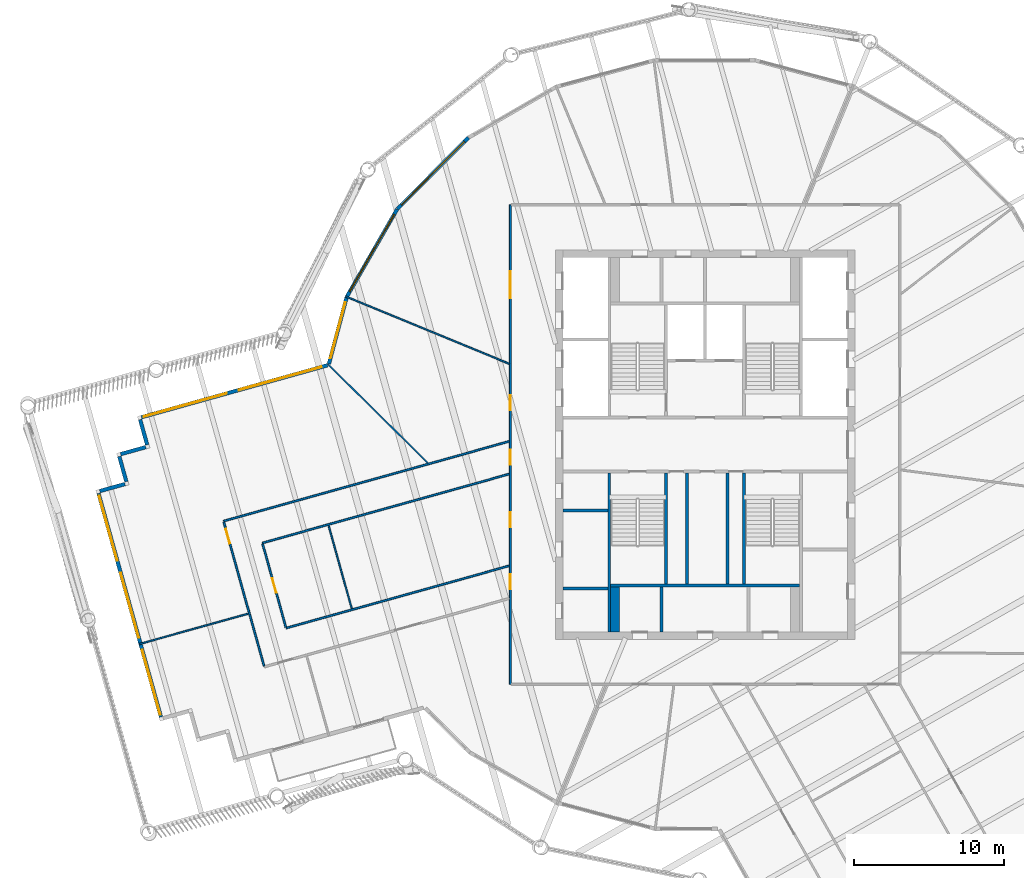
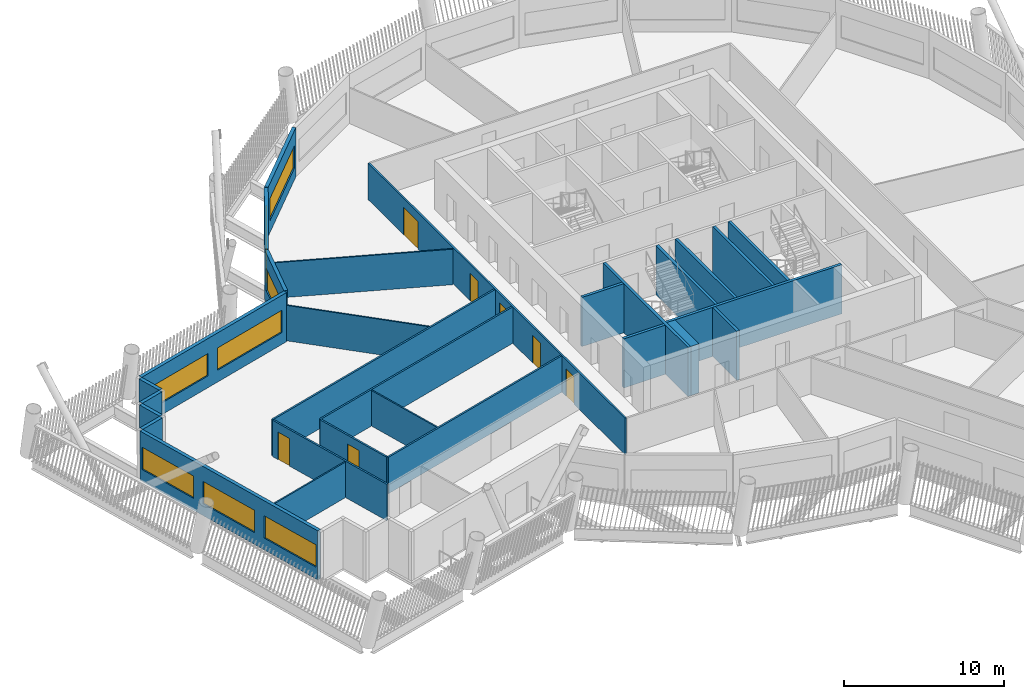
# One storey, part 4 of 21: 29 walls, 8 windows, 7 doors, 15 openings.
"""IFC4 building model written with IfcOpenShell, lengths in metres."""

from ifc_helpers import new_model, si_unit, direction, frame, frame_2d, origin, place, context, subcontext, project, spatial, rectangle, extrude, material, layer, layer_set, type_object, element, fill, save


model = new_model("IFC4")

# Units and contexts
model_context = context("Model", 3, precision=1e-05, world=origin(), true_north=direction((0.0, 1.0)))
body_context = subcontext(model_context, "Body", "Model", "MODEL_VIEW")
ifc_project = project(units=[si_unit("LENGTHUNIT", "METRE"), si_unit("AREAUNIT", "SQUARE_METRE"), si_unit("VOLUMEUNIT", "CUBIC_METRE"), si_unit("PLANEANGLEUNIT", "RADIAN"), si_unit("MASSUNIT", "GRAM", prefix="KILO")], contexts=[model_context])

# Site, building, storey
site_placement = place(None, origin())
site = spatial("IfcSite", under=ifc_project, at=site_placement, CompositionType="ELEMENT")
building_placement = place(site_placement, origin())
building = spatial("IfcBuilding", under=site, at=building_placement, Name="Tarsis Ring Headquarters", CompositionType="ELEMENT")
storey_placement = place(building_placement, frame((0.0, 0.0, 347.0)))
storey = spatial("IfcBuildingStorey", under=building, at=storey_placement, Name="L82", CompositionType="ELEMENT", Elevation=347.0)

# Walls
ifc_material_1 = material(Name="Blockwork", Category="masonry")
ifc_layer_1 = layer(ifc_material_1, 0.199951171875)
ifc_layer_set_1 = layer_set([ifc_layer_1], Name="Core blockwork wall 200")
wall_type_1 = type_object("IfcWallType", Name="Core blockwork wall 200", PredefinedType="PARTITIONING", material=ifc_layer_set_1)
for number, where, z_axis, x_axis, name in (
    (1, (-9.5, -9.60009765625, 0.0), (0.0, 0.0, 1.0), (1.0, 0.0, 0.0), "Core partition WD1"),
    (2, (-9.5, -4.39990234375, 0.0), (0.0, 0.0, 1.0), (1.0, 0.0, 0.0), "Core partition WD3"),
    (3, (-2.89990234375, -12.5, 0.0), (0.0, 0.0, 1.0), (0.0, 1.0, 0.0), "Core partition SD1"),
):
    element("IfcWall", number, at=place(storey_placement, frame(where, z_axis=z_axis, x_axis=x_axis)), inside=storey, type_object=wall_type_1, Name=name, PredefinedType="PARTITIONING", context=body_context, shape_type="SweptSolid", body=[
        extrude(rectangle(XDim=3.0, YDim=0.199951171875, at=frame_2d((1.5, 0.0))), origin(), (0.0, 0.0, 1.0), 3.739990234375),
    ])
for number, where, z_axis, x_axis, name in (
    (4, (-1.199951171875, -9.300048828125, 0.0), (0.0, 0.0, 1.0), (0.0, 1.0, 0.0), "Core partition SV1"),
    (5, (1.5, -9.300048828125, 0.0), (0.0, 0.0, 1.0), (0.0, 1.0, 0.0), "Core partition SV2"),
):
    element("IfcWall", number, at=place(storey_placement, frame(where, z_axis=z_axis, x_axis=x_axis)), inside=storey, type_object=wall_type_1, Name=name, PredefinedType="PARTITIONING", context=body_context, shape_type="SweptSolid", body=[
        extrude(rectangle(XDim=7.400146484375, YDim=0.199951171875, at=frame_2d((3.7001953125, 0.0))), origin(), (0.0, 0.0, 1.0), 3.739990234375),
    ])
ifc_material_2 = material(Name="Gypsum board on steel studs", Category="steel")
ifc_layer_2 = layer(ifc_material_2, 0.10009765625)
ifc_layer_set_2 = layer_set([ifc_layer_2], Name="FL partition 100 unrated")
wall_type_2 = type_object("IfcWallType", Name="FL partition 100 unrated", PredefinedType="PARTITIONING", material=ifc_layer_set_2)
wall_1_placement = place(storey_placement, frame((-23.989990234375, 9.887939453125, 0.0), z_axis=(0.0, 0.0, 1.0), x_axis=(0.924545716958, -0.38107114461, 0.0)))
element("IfcWall", 6, at=wall_1_placement, inside=storey, type_object=wall_type_2, Name="Partition PW3", PredefinedType="PARTITIONING", context=body_context, shape_type="SweptSolid", body=[
    extrude(rectangle(XDim=11.806884765625, YDim=0.10009765625, at=frame_2d((5.9033203125, 0.0))), origin(), (0.0, 0.0, 1.0), 2.699951171875),
])
wall_2_placement = place(storey_placement, frame((-25.169677734375, 5.353515625, 0.0), z_axis=(0.0, 0.0, 1.0), x_axis=(0.711410794863, -0.702776408933, 0.0)))
element("IfcWall", 7, at=wall_2_placement, inside=storey, type_object=wall_type_2, Name="Partition PW3", PredefinedType="PARTITIONING", context=body_context, shape_type="SweptSolid", body=[
    extrude(rectangle(XDim=9.359130859375, YDim=0.10009765625, at=frame_2d((4.6796875, 0.0))), origin(), (0.0, 0.0, 1.0), 2.699951171875),
])
wall_3_placement = place(storey_placement, frame((-37.76025390625, -13.31494140625, 0.0), z_axis=(0.0, 0.0, 1.0), x_axis=(0.963163583815, 0.268916178043, 0.0)))
element("IfcWall", 8, at=wall_3_placement, inside=storey, type_object=wall_type_2, Name="Partition PW3", PredefinedType="PARTITIONING", context=body_context, shape_type="SweptSolid", body=[
    extrude(rectangle(XDim=7.5498046875, YDim=0.10009765625, at=frame_2d((3.77490234375, 0.0))), origin(), (0.0, 0.0, 1.0), 2.699951171875),
])
wall_4_placement = place(storey_placement, frame((-25.131591796875, -5.40771484375, 0.0), z_axis=(0.0, 0.0, 1.0), x_axis=(0.268944373024, -0.963155711305, 0.0)))
element("IfcWall", 9, at=wall_4_placement, inside=storey, type_object=wall_type_2, Name="Partition PW3", PredefinedType="PARTITIONING", context=body_context, shape_type="SweptSolid", body=[
    extrude(rectangle(XDim=5.759765625, YDim=0.10009765625, at=frame_2d((2.8798828125, 0.0))), origin(), (0.0, 0.0, 1.0), 2.699951171875),
])

# Wall, openings, doors
ifc_layer_3 = layer(ifc_material_2, 0.125)
ifc_layer_set_3 = layer_set([ifc_layer_3], Name="FL partition 125 EI 60 H2770")
wall_type_3 = type_object("IfcWallType", Name="FL partition 125 EI 60 H2770", PredefinedType="PARTITIONING", material=ifc_layer_set_3)
wall_5_placement = place(storey_placement, frame((-13.0, -16.0, 0.0), z_axis=(0.0, 0.0, 1.0), x_axis=(0.0, 1.0, 0.0)))
wall_5 = element("IfcWall", 10, at=wall_5_placement, inside=storey, type_object=wall_type_3, Name="Partition PW1", PredefinedType="PARTITIONING", context=body_context, shape_type="SweptSolid", body=[
    extrude(rectangle(XDim=32.0, YDim=0.125, at=frame_2d((16.0, 0.0))), origin(), (0.0, 0.0, 1.0), 2.77001953125),
])
opening_1_placement = place(wall_5_placement, frame((18.29541015625, 0.0, 0.0)))
opening_1 = element("IfcOpeningElement", 11, at=opening_1_placement, cuts=wall_5, Name="Opening D82.03", PredefinedType="OPENING", context=body_context, shape_type="SweptSolid", body=[
    extrude(rectangle(XDim=1.0, YDim=2.10009765625, at=frame_2d((0.5, 1.050048828125))), frame((0.0, 0.072509765625, 0.0), z_axis=(0.0, -1.0, 0.0), x_axis=(1.0, 0.0, 0.0)), (0.0, 0.0, 1.0), 0.14501953125),
])
opening_2_placement = place(wall_5_placement, frame((25.779052734375, 0.0, 0.0)))
opening_2 = element("IfcOpeningElement", 12, at=opening_2_placement, cuts=wall_5, Name="Opening D82.04", PredefinedType="OPENING", context=body_context, shape_type="SweptSolid", body=[
    extrude(rectangle(XDim=1.800048828125, YDim=2.10009765625, at=frame_2d((0.89990234375, 1.050048828125))), frame((0.0, 0.072509765625, 0.0), z_axis=(0.0, -1.0, 0.0), x_axis=(1.0, 0.0, 0.0)), (0.0, 0.0, 1.0), 0.14501953125),
])
opening_3_placement = place(wall_5_placement, frame((10.489501953125, 0.0, 0.0)))
opening_3 = element("IfcOpeningElement", 13, at=opening_3_placement, cuts=wall_5, Name="Opening D82.14", PredefinedType="OPENING", context=body_context, shape_type="SweptSolid", body=[
    extrude(rectangle(XDim=1.0, YDim=2.10009765625, at=frame_2d((0.5, 1.050048828125))), frame((0.0, 0.072509765625, 0.0), z_axis=(0.0, -1.0, 0.0), x_axis=(1.0, 0.0, 0.0)), (0.0, 0.0, 1.0), 0.14501953125),
])
opening_4_placement = place(wall_5_placement, frame((6.33642578125, 0.0, 0.0)))
opening_4 = element("IfcOpeningElement", 14, at=opening_4_placement, cuts=wall_5, Name="Opening D82.19", PredefinedType="OPENING", context=body_context, shape_type="SweptSolid", body=[
    extrude(rectangle(XDim=1.0, YDim=2.10009765625, at=frame_2d((0.5, 1.050048828125))), frame((0.0, 0.072509765625, 0.0), z_axis=(0.0, -1.0, 0.0), x_axis=(1.0, 0.0, 0.0)), (0.0, 0.0, 1.0), 0.14501953125),
])
opening_5_placement = place(wall_5_placement, frame((14.642578125, 0.0, 0.0)))
opening_5 = element("IfcOpeningElement", 15, at=opening_5_placement, cuts=wall_5, Name="Opening D82.20", PredefinedType="OPENING", context=body_context, shape_type="SweptSolid", body=[
    extrude(rectangle(XDim=1.0, YDim=2.10009765625, at=frame_2d((0.5, 1.050048828125))), frame((0.0, 0.072509765625, 0.0), z_axis=(0.0, -1.0, 0.0), x_axis=(1.0, 0.0, 0.0)), (0.0, 0.0, 1.0), 0.14501953125),
])
ifc_material_3 = material(Name="Fire-rated timber door leaf in steel frame", Category="steel")
door_type_1 = type_object("IfcDoorType", Name="FL door FD60-1000", OperationType="NOTDEFINED", PredefinedType="DOOR", material=ifc_material_3)
door_1_placement = place(opening_1_placement, origin())
door_1 = element("IfcDoor", 16, at=door_1_placement, inside=storey, type_object=door_type_1, Name="Door D82.03", OperationType="SINGLE_SWING_LEFT", OverallHeight=2.10009765625, OverallWidth=1.0, PredefinedType="DOOR", context=body_context, shape_type="SweptSolid", body=[
    extrude(rectangle(XDim=1.0, YDim=2.10009765625, at=frame_2d((0.5, 1.050048828125))), frame((0.0, 0.02490234375, 0.0), z_axis=(0.0, -1.0, 0.0), x_axis=(1.0, 0.0, 0.0)), (0.0, 0.0, 1.0), 0.050048828125),
])
fill(opening_1, door_1)
door_2_placement = place(opening_3_placement, origin())
door_2 = element("IfcDoor", 17, at=door_2_placement, inside=storey, type_object=door_type_1, Name="Door D82.14", OperationType="SINGLE_SWING_RIGHT", OverallHeight=2.10009765625, OverallWidth=1.0, PredefinedType="DOOR", context=body_context, shape_type="SweptSolid", body=[
    extrude(rectangle(XDim=1.0, YDim=2.10009765625, at=frame_2d((0.5, 1.050048828125))), frame((0.0, 0.02490234375, 0.0), z_axis=(0.0, -1.0, 0.0), x_axis=(1.0, 0.0, 0.0)), (0.0, 0.0, 1.0), 0.050048828125),
])
fill(opening_3, door_2)
door_3_placement = place(opening_4_placement, origin())
door_3 = element("IfcDoor", 18, at=door_3_placement, inside=storey, type_object=door_type_1, Name="Door D82.19", OperationType="SINGLE_SWING_LEFT", OverallHeight=2.10009765625, OverallWidth=1.0, PredefinedType="DOOR", context=body_context, shape_type="SweptSolid", body=[
    extrude(rectangle(XDim=1.0, YDim=2.10009765625, at=frame_2d((0.5, 1.050048828125))), frame((0.0, 0.02490234375, 0.0), z_axis=(0.0, -1.0, 0.0), x_axis=(1.0, 0.0, 0.0)), (0.0, 0.0, 1.0), 0.050048828125),
])
fill(opening_4, door_3)
door_4_placement = place(opening_5_placement, origin())
door_4 = element("IfcDoor", 19, at=door_4_placement, inside=storey, type_object=door_type_1, Name="Door D82.20", OperationType="SINGLE_SWING_RIGHT", OverallHeight=2.10009765625, OverallWidth=1.0, PredefinedType="DOOR", context=body_context, shape_type="SweptSolid", body=[
    extrude(rectangle(XDim=1.0, YDim=2.10009765625, at=frame_2d((0.5, 1.050048828125))), frame((0.0, 0.02490234375, 0.0), z_axis=(0.0, -1.0, 0.0), x_axis=(1.0, 0.0, 0.0)), (0.0, 0.0, 1.0), 0.050048828125),
])
fill(opening_5, door_4)
door_type_2 = type_object("IfcDoorType", Name="FL door FD60-1800", OperationType="DOUBLE_DOOR_SINGLE_SWING", PredefinedType="DOOR", material=ifc_material_3)
door_5_placement = place(opening_2_placement, origin())
door_5 = element("IfcDoor", 20, at=door_5_placement, inside=storey, type_object=door_type_2, Name="Door D82.04", OperationType="DOUBLE_DOOR_SINGLE_SWING", OverallHeight=2.10009765625, OverallWidth=1.800048828125, PredefinedType="DOOR", context=body_context, shape_type="SweptSolid", body=[
    extrude(rectangle(XDim=1.800048828125, YDim=2.10009765625, at=frame_2d((0.89990234375, 1.050048828125))), frame((0.0, 0.02490234375, 0.0), z_axis=(0.0, -1.0, 0.0), x_axis=(1.0, 0.0, 0.0)), (0.0, 0.0, 1.0), 0.050048828125),
])
fill(opening_2, door_5)

# Walls
wall_6_placement = place(storey_placement, frame((-32.139404296875, -5.111083984375, 0.0), z_axis=(0.0, 0.0, 1.0), x_axis=(0.963162721775, 0.268919265548, 0.0)))
element("IfcWall", 21, at=wall_6_placement, inside=storey, type_object=wall_type_3, Name="Partition PW1", PredefinedType="PARTITIONING", context=body_context, shape_type="SweptSolid", body=[
    extrude(rectangle(XDim=19.791259765625, YDim=0.125, at=frame_2d((9.8955078125, 0.0))), origin(), (0.0, 0.0, 1.0), 2.77001953125),
])
wall_7_placement = place(storey_placement, frame((-29.552001953125, -6.569091796875, 0.0), z_axis=(0.0, 0.0, 1.0), x_axis=(0.963162691519, 0.268919373911, 0.0)))
element("IfcWall", 22, at=wall_7_placement, inside=storey, type_object=wall_type_3, Name="Partition PW1", PredefinedType="PARTITIONING", context=body_context, shape_type="SweptSolid", body=[
    extrude(rectangle(XDim=17.10498046875, YDim=0.125, at=frame_2d((8.552490234375, 0.0))), origin(), (0.0, 0.0, 1.0), 2.77001953125),
])
wall_8_placement = place(storey_placement, frame((-27.96533203125, -12.251708984375, 0.0), z_axis=(0.0, 0.0, 1.0), x_axis=(0.963164531776, 0.268912782756, 0.0)))
element("IfcWall", 23, at=wall_8_placement, inside=storey, type_object=wall_type_3, Name="Partition PW1", PredefinedType="PARTITIONING", context=body_context, shape_type="SweptSolid", body=[
    extrude(rectangle(XDim=15.45751953125, YDim=0.125, at=frame_2d((7.728759765625, 0.0))), origin(), (0.0, 0.0, 1.0), 2.77001953125),
])

# Wall, opening, door
wall_9_placement = place(storey_placement, frame((-32.123291015625, -5.1689453125, 0.0), z_axis=(0.0, 0.0, 1.0), x_axis=(0.26891666338, -0.963163448308, 0.0)))
wall_9 = element("IfcWall", 24, at=wall_9_placement, inside=storey, type_object=wall_type_3, Name="Partition PW1", PredefinedType="PARTITIONING", context=body_context, shape_type="SweptSolid", body=[
    extrude(rectangle(XDim=9.980224609375, YDim=0.125, at=frame_2d((4.990234375, 0.0))), origin(), (0.0, 0.0, 1.0), 2.77001953125),
])
opening_6_placement = place(wall_9_placement, frame((0.489990234375, 0.0, 0.0)))
opening_6 = element("IfcOpeningElement", 25, at=opening_6_placement, cuts=wall_9, Name="Opening D82.02", PredefinedType="OPENING", context=body_context, shape_type="SweptSolid", body=[
    extrude(rectangle(XDim=1.0, YDim=2.10009765625, at=frame_2d((0.5, 1.050048828125))), frame((0.0, 0.072509765625, 0.0), z_axis=(0.0, -1.0, 0.0), x_axis=(1.0, 0.0, 0.0)), (0.0, 0.0, 1.0), 0.14501953125),
])
door_6_placement = place(opening_6_placement, origin())
door_6 = element("IfcDoor", 26, at=door_6_placement, inside=storey, type_object=door_type_1, Name="Door D82.02", OperationType="SINGLE_SWING_RIGHT", OverallHeight=2.10009765625, OverallWidth=1.0, PredefinedType="DOOR", context=body_context, shape_type="SweptSolid", body=[
    extrude(rectangle(XDim=1.0, YDim=2.10009765625, at=frame_2d((0.5, 1.050048828125))), frame((0.0, 0.02490234375, 0.0), z_axis=(0.0, -1.0, 0.0), x_axis=(1.0, 0.0, 0.0)), (0.0, 0.0, 1.0), 0.050048828125),
])
fill(opening_6, door_6)

wall_10_placement = place(storey_placement, frame((-29.535888671875, -6.626953125, 0.0), z_axis=(0.0, 0.0, 1.0), x_axis=(0.268891921497, -0.963170355936, 0.0)))
wall_10 = element("IfcWall", 27, at=wall_10_placement, inside=storey, type_object=wall_type_3, Name="Partition PW1", PredefinedType="PARTITIONING", context=body_context, shape_type="SweptSolid", body=[
    extrude(rectangle(XDim=5.780029296875, YDim=0.125, at=frame_2d((2.89013671875, 0.0))), origin(), (0.0, 0.0, 1.0), 2.77001953125),
])
opening_7_placement = place(wall_10_placement, frame((2.389892578125, 0.0, 0.0)))
opening_7 = element("IfcOpeningElement", 28, at=opening_7_placement, cuts=wall_10, Name="Opening D82.15", PredefinedType="OPENING", context=body_context, shape_type="SweptSolid", body=[
    extrude(rectangle(XDim=1.0, YDim=2.10009765625, at=frame_2d((0.5, 1.050048828125))), frame((0.0, 0.072509765625, 0.0), z_axis=(0.0, -1.0, 0.0), x_axis=(1.0, 0.0, 0.0)), (0.0, 0.0, 1.0), 0.14501953125),
])
door_7_placement = place(opening_7_placement, origin())
door_7 = element("IfcDoor", 29, at=door_7_placement, inside=storey, type_object=door_type_1, Name="Door D82.15", OperationType="SINGLE_SWING_LEFT", OverallHeight=2.10009765625, OverallWidth=1.0, PredefinedType="DOOR", context=body_context, shape_type="SweptSolid", body=[
    extrude(rectangle(XDim=1.0, YDim=2.10009765625, at=frame_2d((0.5, 1.050048828125))), frame((0.0, 0.02490234375, 0.0), z_axis=(0.0, -1.0, 0.0), x_axis=(1.0, 0.0, 0.0)), (0.0, 0.0, 1.0), 0.050048828125),
])
fill(opening_7, door_7)

# Wall, opening, window
ifc_material_4 = material(Name="Terracotta clad insulated panel wall", Category="masonry")
ifc_layer_4 = layer(ifc_material_4, 0.25)
ifc_layer_set_4 = layer_set([ifc_layer_4], Name="Facade wall terracotta panel 250")
wall_type_4 = type_object("IfcWallType", Name="Facade wall terracotta panel 250", PredefinedType="STANDARD", material=ifc_layer_set_4)
wall_11_placement = place(storey_placement, frame((-15.798583984375, 20.488037109375, 0.0), z_axis=(0.0, 0.0, 1.0), x_axis=(-0.70585254916, -0.708358792452, 0.0)))
wall_11 = element("IfcWall", 30, at=wall_11_placement, inside=storey, type_object=wall_type_4, Name="External wall L82-28", PredefinedType="STANDARD", context=body_context, shape_type="SweptSolid", body=[
    extrude(rectangle(XDim=6.721435546875, YDim=0.25, at=frame_2d((3.36083984375, 0.0))), origin(), (0.0, 0.0, 1.0), 3.739990234375),
])
opening_8_placement = place(wall_11_placement, frame((0.3857421875, 0.0, 0.89990234375)))
opening_8 = element("IfcOpeningElement", 31, at=opening_8_placement, cuts=wall_11, Name="Opening WN07", PredefinedType="OPENING", context=body_context, shape_type="SweptSolid", body=[
    extrude(rectangle(XDim=5.949951171875, YDim=1.699951171875, at=frame_2d((2.97509765625, 0.85009765625))), frame((0.0, 0.135009765625, 0.0), z_axis=(0.0, -1.0, 0.0), x_axis=(1.0, 0.0, 0.0)), (0.0, 0.0, 1.0), 0.27001953125),
])
ifc_material_5 = material(Name="Aluminium framed double glazing", Category="aluminium")
window_type_1 = type_object("IfcWindowType", Name="Facade window 5950 x 1700", PartitioningType="SINGLE_PANEL", PredefinedType="WINDOW", material=ifc_material_5)
window_1_placement = place(opening_8_placement, origin())
window_1 = element("IfcWindow", 32, at=window_1_placement, inside=storey, type_object=window_type_1, Name="Window L82-28.1", OverallHeight=1.699951171875, OverallWidth=5.949951171875, PartitioningType="SINGLE_PANEL", PredefinedType="WINDOW", context=body_context, shape_type="SweptSolid", body=[
    extrude(rectangle(XDim=5.949951171875, YDim=1.699951171875, at=frame_2d((2.97509765625, 0.85009765625))), frame((0.0, 0.030029296875, 0.0), z_axis=(0.0, -1.0, 0.0), x_axis=(1.0, 0.0, 0.0)), (0.0, 0.0, 1.0), 0.06005859375),
])
fill(opening_8, window_1)

wall_12_placement = place(storey_placement, frame((-20.562744140625, 15.700927734375, 0.0), z_axis=(0.0, 0.0, 1.0), x_axis=(-0.498484090277, -0.866898847468, 0.0)))
wall_12 = element("IfcWall", 33, at=wall_12_placement, inside=storey, type_object=wall_type_4, Name="External wall L82-29", PredefinedType="STANDARD", context=body_context, shape_type="SweptSolid", body=[
    extrude(rectangle(XDim=6.721435546875, YDim=0.25, at=frame_2d((3.36083984375, 0.0))), origin(), (0.0, 0.0, 1.0), 3.739990234375),
])
opening_9_placement = place(wall_12_placement, frame((0.3857421875, 0.0, 0.89990234375)))
opening_9 = element("IfcOpeningElement", 34, at=opening_9_placement, cuts=wall_12, Name="Opening WN07", PredefinedType="OPENING", context=body_context, shape_type="SweptSolid", body=[
    extrude(rectangle(XDim=5.949951171875, YDim=1.699951171875, at=frame_2d((2.97509765625, 0.85009765625))), frame((0.0, 0.135009765625, 0.0), z_axis=(0.0, -1.0, 0.0), x_axis=(1.0, 0.0, 0.0)), (0.0, 0.0, 1.0), 0.27001953125),
])
window_2_placement = place(opening_9_placement, origin())
window_2 = element("IfcWindow", 35, at=window_2_placement, inside=storey, type_object=window_type_1, Name="Window L82-29.1", OverallHeight=1.699951171875, OverallWidth=5.949951171875, PartitioningType="SINGLE_PANEL", PredefinedType="WINDOW", context=body_context, shape_type="SweptSolid", body=[
    extrude(rectangle(XDim=5.949951171875, YDim=1.699951171875, at=frame_2d((2.97509765625, 0.85009765625))), frame((0.0, 0.030029296875, 0.0), z_axis=(0.0, -1.0, 0.0), x_axis=(1.0, 0.0, 0.0)), (0.0, 0.0, 1.0), 0.06005859375),
])
fill(opening_9, window_2)

wall_13_placement = place(storey_placement, frame((-23.92578125, 9.843994140625, 0.0), z_axis=(0.0, 0.0, 1.0), x_axis=(-0.257149291369, -0.966371689335, 0.0)))
wall_13 = element("IfcWall", 36, at=wall_13_placement, inside=storey, type_object=wall_type_4, Name="External wall L82-30", PredefinedType="STANDARD", context=body_context, shape_type="SweptSolid", body=[
    extrude(rectangle(XDim=4.617919921875, YDim=0.25, at=frame_2d((2.30908203125, 0.0))), origin(), (0.0, 0.0, 1.0), 3.739990234375),
])
opening_10_placement = place(wall_13_placement, frame((0.367431640625, 0.0, 0.89990234375)))
opening_10 = element("IfcOpeningElement", 37, at=opening_10_placement, cuts=wall_13, Name="Opening WN02", PredefinedType="OPENING", context=body_context, shape_type="SweptSolid", body=[
    extrude(rectangle(XDim=3.85009765625, YDim=1.699951171875, at=frame_2d((1.925048828125, 0.85009765625))), frame((0.0, 0.135009765625, 0.0), z_axis=(0.0, -1.0, 0.0), x_axis=(1.0, 0.0, 0.0)), (0.0, 0.0, 1.0), 0.27001953125),
])
window_type_2 = type_object("IfcWindowType", Name="Facade window 3850 x 1700", PartitioningType="SINGLE_PANEL", PredefinedType="WINDOW", material=ifc_material_5)
window_3_placement = place(opening_10_placement, origin())
window_3 = element("IfcWindow", 38, at=window_3_placement, inside=storey, type_object=window_type_2, Name="Window L82-30.1", OverallHeight=1.699951171875, OverallWidth=3.85009765625, PartitioningType="SINGLE_PANEL", PredefinedType="WINDOW", context=body_context, shape_type="SweptSolid", body=[
    extrude(rectangle(XDim=3.85009765625, YDim=1.699951171875, at=frame_2d((1.925048828125, 0.85009765625))), frame((0.0, 0.030029296875, 0.0), z_axis=(0.0, -1.0, 0.0), x_axis=(1.0, 0.0, 0.0)), (0.0, 0.0, 1.0), 0.06005859375),
])
fill(opening_10, window_3)

# Wall, openings, windows
wall_14_placement = place(storey_placement, frame((-25.200439453125, 5.29296875, 0.0), z_axis=(0.0, 0.0, 1.0), x_axis=(-0.963165986704, -0.268907571587, 0.0)))
wall_14 = element("IfcWall", 39, at=wall_14_placement, inside=storey, type_object=wall_type_4, Name="External wall L82-31", PredefinedType="STANDARD", context=body_context, shape_type="SweptSolid", body=[
    extrude(rectangle(XDim=12.901123046875, YDim=0.25, at=frame_2d((6.45068359375, 0.0))), origin(), (0.0, 0.0, 1.0), 3.739990234375),
])
opening_11_placement = place(wall_14_placement, frame((0.412841796875, 0.0, 0.89990234375)))
opening_11 = element("IfcOpeningElement", 40, at=opening_11_placement, cuts=wall_14, Name="Opening WN06", PredefinedType="OPENING", context=body_context, shape_type="SweptSolid", body=[
    extrude(rectangle(XDim=5.75, YDim=1.699951171875, at=frame_2d((2.875, 0.85009765625))), frame((0.0, 0.135009765625, 0.0), z_axis=(0.0, -1.0, 0.0), x_axis=(1.0, 0.0, 0.0)), (0.0, 0.0, 1.0), 0.27001953125),
])
opening_12_placement = place(wall_14_placement, frame((6.988525390625, 0.0, 0.89990234375)))
opening_12 = element("IfcOpeningElement", 41, at=opening_12_placement, cuts=wall_14, Name="Opening WN06", PredefinedType="OPENING", context=body_context, shape_type="SweptSolid", body=[
    extrude(rectangle(XDim=5.75, YDim=1.699951171875, at=frame_2d((2.875, 0.85009765625))), frame((0.0, 0.135009765625, 0.0), z_axis=(0.0, -1.0, 0.0), x_axis=(1.0, 0.0, 0.0)), (0.0, 0.0, 1.0), 0.27001953125),
])
window_type_3 = type_object("IfcWindowType", Name="Facade window 5750 x 1700", PartitioningType="SINGLE_PANEL", PredefinedType="WINDOW", material=ifc_material_5)
window_4_placement = place(opening_11_placement, origin())
window_4 = element("IfcWindow", 42, at=window_4_placement, inside=storey, type_object=window_type_3, Name="Window L82-31.1", OverallHeight=1.699951171875, OverallWidth=5.75, PartitioningType="SINGLE_PANEL", PredefinedType="WINDOW", context=body_context, shape_type="SweptSolid", body=[
    extrude(rectangle(XDim=5.75, YDim=1.699951171875, at=frame_2d((2.875, 0.85009765625))), frame((0.0, 0.030029296875, 0.0), z_axis=(0.0, -1.0, 0.0), x_axis=(1.0, 0.0, 0.0)), (0.0, 0.0, 1.0), 0.06005859375),
])
fill(opening_11, window_4)
window_5_placement = place(opening_12_placement, origin())
window_5 = element("IfcWindow", 43, at=window_5_placement, inside=storey, type_object=window_type_3, Name="Window L82-31.2", OverallHeight=1.699951171875, OverallWidth=5.75, PartitioningType="SINGLE_PANEL", PredefinedType="WINDOW", context=body_context, shape_type="SweptSolid", body=[
    extrude(rectangle(XDim=5.75, YDim=1.699951171875, at=frame_2d((2.875, 0.85009765625))), frame((0.0, 0.030029296875, 0.0), z_axis=(0.0, -1.0, 0.0), x_axis=(1.0, 0.0, 0.0)), (0.0, 0.0, 1.0), 0.06005859375),
])
fill(opening_12, window_5)

# Walls
for number, where, z_axis, x_axis, name in (
    (44, (-37.71337890625, 1.669677734375, 0.0), (0.0, 0.0, 1.0), (0.268967518834, -0.963149247942, 0.0), "External wall L82-32"),
    (45, (-37.329345703125, -0.169921875, 0.0), (0.0, 0.0, 1.0), (-0.963185380444, -0.268838097931, 0.0), "External wall L82-33"),
    (46, (-39.101806640625, -0.79443359375, 0.0), (0.0, 0.0, 1.0), (0.268967518834, -0.963149247942, 0.0), "External wall L82-34"),
    (47, (-38.718017578125, -2.634033203125, 0.0), (0.0, 0.0, 1.0), (-0.963149247942, -0.268967518834, 0.0), "External wall L82-35"),
):
    element("IfcWall", number, at=place(storey_placement, frame(where, z_axis=z_axis, x_axis=x_axis)), inside=storey, type_object=wall_type_4, Name=name, PredefinedType="STANDARD", context=body_context, shape_type="SweptSolid", body=[
        extrude(rectangle(XDim=1.75, YDim=0.25, at=frame_2d((0.875, 0.0))), origin(), (0.0, 0.0, 1.0), 3.739990234375),
    ])

# Wall, openings, windows
wall_15_placement = place(storey_placement, frame((-40.490234375, -3.2587890625, 0.0), z_axis=(0.0, 0.0, 1.0), x_axis=(0.268918248795, -0.963163005656, 0.0)))
wall_15 = element("IfcWall", 48, at=wall_15_placement, inside=storey, type_object=wall_type_4, Name="External wall L82-36", PredefinedType="STANDARD", context=body_context, shape_type="SweptSolid", body=[
    extrude(rectangle(XDim=15.5, YDim=0.25, at=frame_2d((7.75, 0.0))), origin(), (0.0, 0.0, 1.0), 3.739990234375),
])
opening_13_placement = place(wall_15_placement, frame((0.166748046875, 0.0, 0.89990234375)))
opening_13 = element("IfcOpeningElement", 49, at=opening_13_placement, cuts=wall_15, Name="Opening WN04", PredefinedType="OPENING", context=body_context, shape_type="SweptSolid", body=[
    extrude(rectangle(XDim=4.5, YDim=1.699951171875, at=frame_2d((2.25, 0.85009765625))), frame((0.0, 0.135009765625, 0.0), z_axis=(0.0, -1.0, 0.0), x_axis=(1.0, 0.0, 0.0)), (0.0, 0.0, 1.0), 0.27001953125),
])
opening_14_placement = place(wall_15_placement, frame((5.5, 0.0, 0.89990234375)))
opening_14 = element("IfcOpeningElement", 50, at=opening_14_placement, cuts=wall_15, Name="Opening WN04", PredefinedType="OPENING", context=body_context, shape_type="SweptSolid", body=[
    extrude(rectangle(XDim=4.5, YDim=1.699951171875, at=frame_2d((2.25, 0.85009765625))), frame((0.0, 0.135009765625, 0.0), z_axis=(0.0, -1.0, 0.0), x_axis=(1.0, 0.0, 0.0)), (0.0, 0.0, 1.0), 0.27001953125),
])
opening_15_placement = place(wall_15_placement, frame((10.833251953125, 0.0, 0.89990234375)))
opening_15 = element("IfcOpeningElement", 51, at=opening_15_placement, cuts=wall_15, Name="Opening WN04", PredefinedType="OPENING", context=body_context, shape_type="SweptSolid", body=[
    extrude(rectangle(XDim=4.5, YDim=1.699951171875, at=frame_2d((2.25, 0.85009765625))), frame((0.0, 0.135009765625, 0.0), z_axis=(0.0, -1.0, 0.0), x_axis=(1.0, 0.0, 0.0)), (0.0, 0.0, 1.0), 0.27001953125),
])
window_type_4 = type_object("IfcWindowType", Name="Facade window 4500 x 1700", PartitioningType="SINGLE_PANEL", PredefinedType="WINDOW", material=ifc_material_5)
window_6_placement = place(opening_13_placement, origin())
window_6 = element("IfcWindow", 52, at=window_6_placement, inside=storey, type_object=window_type_4, Name="Window L82-36.1", OverallHeight=1.699951171875, OverallWidth=4.5, PartitioningType="SINGLE_PANEL", PredefinedType="WINDOW", context=body_context, shape_type="SweptSolid", body=[
    extrude(rectangle(XDim=4.5, YDim=1.699951171875, at=frame_2d((2.25, 0.85009765625))), frame((0.0, 0.030029296875, 0.0), z_axis=(0.0, -1.0, 0.0), x_axis=(1.0, 0.0, 0.0)), (0.0, 0.0, 1.0), 0.06005859375),
])
fill(opening_13, window_6)
window_7_placement = place(opening_14_placement, origin())
window_7 = element("IfcWindow", 53, at=window_7_placement, inside=storey, type_object=window_type_4, Name="Window L82-36.2", OverallHeight=1.699951171875, OverallWidth=4.5, PartitioningType="SINGLE_PANEL", PredefinedType="WINDOW", context=body_context, shape_type="SweptSolid", body=[
    extrude(rectangle(XDim=4.5, YDim=1.699951171875, at=frame_2d((2.25, 0.85009765625))), frame((0.0, 0.030029296875, 0.0), z_axis=(0.0, -1.0, 0.0), x_axis=(1.0, 0.0, 0.0)), (0.0, 0.0, 1.0), 0.06005859375),
])
fill(opening_14, window_7)
window_8_placement = place(opening_15_placement, origin())
window_8 = element("IfcWindow", 54, at=window_8_placement, inside=storey, type_object=window_type_4, Name="Window L82-36.3", OverallHeight=1.699951171875, OverallWidth=4.5, PartitioningType="SINGLE_PANEL", PredefinedType="WINDOW", context=body_context, shape_type="SweptSolid", body=[
    extrude(rectangle(XDim=4.5, YDim=1.699951171875, at=frame_2d((2.25, 0.85009765625))), frame((0.0, 0.030029296875, 0.0), z_axis=(0.0, -1.0, 0.0), x_axis=(1.0, 0.0, 0.0)), (0.0, 0.0, 1.0), 0.06005859375),
])
fill(opening_15, window_8)

# Walls
ifc_material_6 = material(Name="Concrete C32/40", Category="concrete")
ifc_layer_5 = layer(ifc_material_6, 0.60009765625)
ifc_layer_set_5 = layer_set([ifc_layer_5], Name="Shaft end wall 600 C32/40")
wall_type_5 = type_object("IfcWallType", Name="Shaft end wall 600 C32/40", PredefinedType="SOLIDWALL", material=ifc_layer_set_5)
wall_16_placement = place(storey_placement, frame((-6.0, -12.5, 0.0), z_axis=(0.0, 0.0, 1.0), x_axis=(0.0, 1.0, 0.0)))
element("IfcWall", 55, at=wall_16_placement, inside=storey, type_object=wall_type_5, Name="Core shaft wall SNE1", PredefinedType="SOLIDWALL", context=body_context, shape_type="SweptSolid", body=[
    extrude(rectangle(XDim=3.0, YDim=0.60009765625, at=frame_2d((1.5, 0.0))), origin(), (0.0, 0.0, 1.0), 3.739990234375),
])
ifc_layer_6 = layer(ifc_material_6, 0.199951171875)
ifc_layer_set_6 = layer_set([ifc_layer_6], Name="Shaft wall 200 C32/40")
wall_type_6 = type_object("IfcWallType", Name="Shaft wall 200 C32/40", PredefinedType="SOLIDWALL", material=ifc_layer_set_6)
wall_17_placement = place(storey_placement, frame((-6.39990234375, -12.5, 0.0), z_axis=(0.0, 0.0, 1.0), x_axis=(0.0, 1.0, 0.0)))
element("IfcWall", 56, at=wall_17_placement, inside=storey, type_object=wall_type_6, Name="Core shaft wall WB1", PredefinedType="SOLIDWALL", context=body_context, shape_type="SweptSolid", body=[
    extrude(rectangle(XDim=10.60009765625, YDim=0.199951171875, at=frame_2d((5.300048828125, 0.0))), origin(), (0.0, 0.0, 1.0), 3.739990234375),
])
wall_18_placement = place(storey_placement, frame((-6.300048828125, -9.39990234375, 0.0), z_axis=(0.0, 0.0, 1.0), x_axis=(1.0, 0.0, 0.0)))
element("IfcWall", 57, at=wall_18_placement, inside=storey, type_object=wall_type_6, Name="Core shaft wall SB", PredefinedType="SOLIDWALL", context=body_context, shape_type="SweptSolid", body=[
    extrude(rectangle(XDim=12.60009765625, YDim=0.199951171875, at=frame_2d((6.300048828125, 0.0))), origin(), (0.0, 0.0, 1.0), 3.739990234375),
])
for number, where, z_axis, x_axis, name in (
    (58, (-2.60009765625, -9.300048828125, 0.0), (0.0, 0.0, 1.0), (0.0, 1.0, 0.0), "Core shaft wall SW3"),
    (59, (2.60009765625, -9.300048828125, 0.0), (0.0, 0.0, 1.0), (0.0, 1.0, 0.0), "Core shaft wall SW4"),
):
    element("IfcWall", number, at=place(storey_placement, frame(where, z_axis=z_axis, x_axis=x_axis)), inside=storey, type_object=wall_type_6, Name=name, PredefinedType="SOLIDWALL", context=body_context, shape_type="SweptSolid", body=[
        extrude(rectangle(XDim=7.400146484375, YDim=0.199951171875, at=frame_2d((3.7001953125, 0.0))), origin(), (0.0, 0.0, 1.0), 3.739990234375),
    ])

save(model, "model.ifc")
